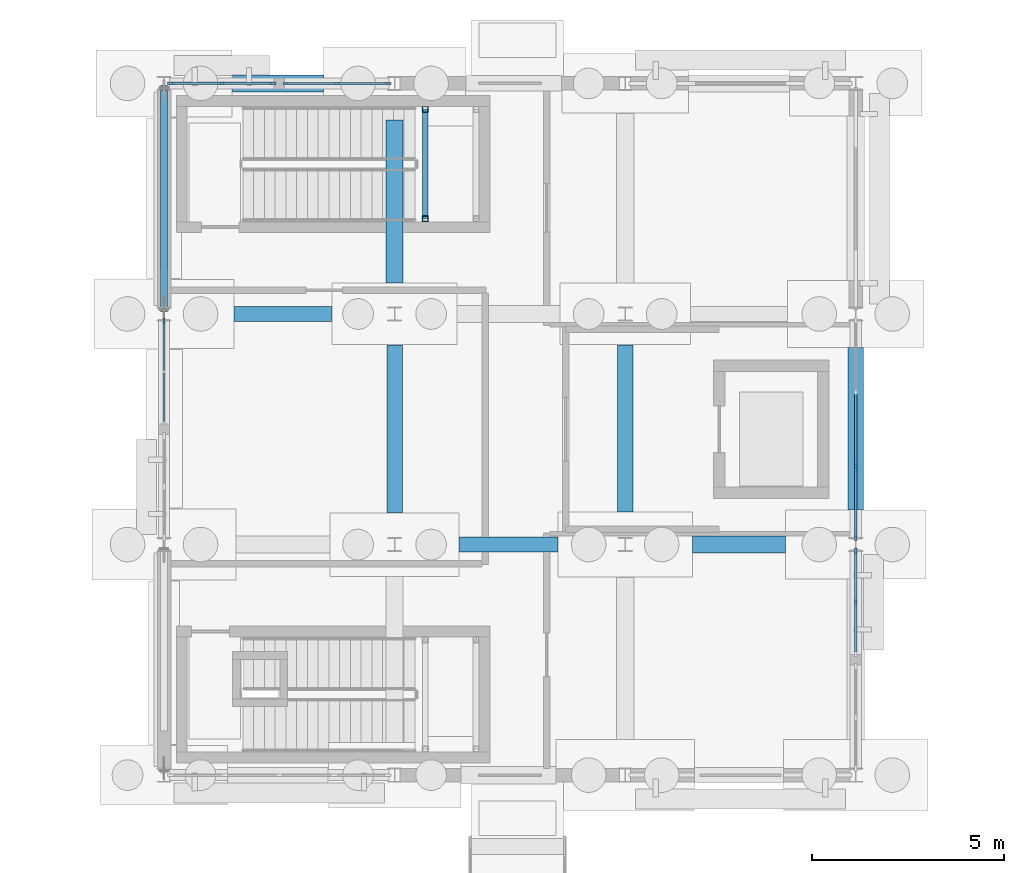
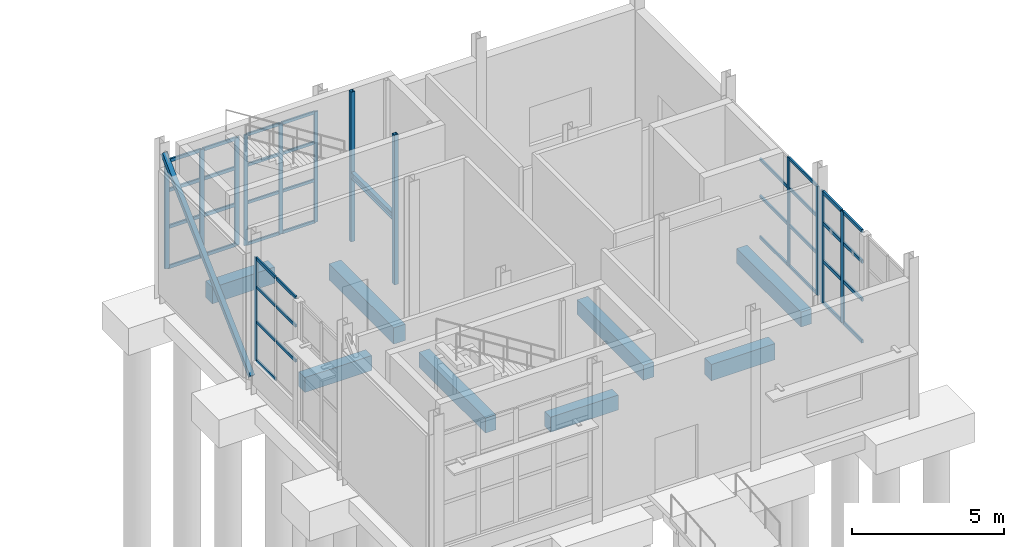
# One storey, part 51 of 120: 52 members, 9 beams, 5 elements without a shape of their own.
"""IFC4 building model written with IfcOpenShell, lengths in metres."""

import ifcopenshell
import ifcopenshell.guid

model = None  # the IFC model being written
_history = None  # IfcOwnerHistory: only IFC2X3 demands one
_inside = {}  # id of a spatial element -> (the spatial element, [elements in it])
_under = {}  # id of a project, library or spatial element -> (it, [spatial elements below it])
_declared = {}  # id of a project -> (the project, [libraries it declares])
_typed = {}  # id of a type object -> (the type object, [elements of that type])
_made_of = {}  # id of a material, layer set ... -> (it, [elements and type objects made of it])


def new_model(schema):
    """Start an empty IFC model of exactly this schema.

    Asked for "IFC4X3", IfcOpenShell would pick the latest addendum, in which some entities
    have other attributes; the version numbers below select the first issue.
    IFC2X3 requires an IfcOwnerHistory on every rooted entity: one is made here for all.
    """
    global model, _history
    if schema == "IFC4X3":
        model = ifcopenshell.file(schema_version=(4, 3, 0, 0))
    else:
        model = ifcopenshell.file(schema=schema)
    _inside.clear()
    _under.clear()
    _declared.clear()
    _typed.clear()
    _made_of.clear()
    _history = None
    if model.schema == "IFC2X3":
        org = make("IfcOrganization", Name="unknown")
        user = make(
            "IfcPersonAndOrganization",
            ThePerson=make("IfcPerson", FamilyName="unknown"),
            TheOrganization=org,
        )
        app = make(
            "IfcApplication",
            ApplicationDeveloper=org,
            Version="unknown",
            ApplicationFullName="unknown",
            ApplicationIdentifier="unknown",
        )
        _history = make(
            "IfcOwnerHistory",
            OwningUser=user,
            OwningApplication=app,
            ChangeAction="ADDED",
            CreationDate=0,
        )
    return model


def make(cls, **values):
    """One entity of the class cls with the attributes given. An attribute that is None is left unset."""
    return model.create_entity(
        cls, **{name: value for name, value in values.items() if value is not None}
    )


def rooted(cls, **values):
    """An entity with a GlobalId (a new one), such as an element, a storey or a relation."""
    return make(cls, GlobalId=ifcopenshell.guid.new(), OwnerHistory=_history, **values)


def si_unit(unit_type, name, prefix=None):
    """IfcSIUnit, for example si_unit("LENGTHUNIT", "METRE", prefix="MILLI")."""
    return make("IfcSIUnit", UnitType=unit_type, Prefix=prefix, Name=name)


def assignment(units):
    """IfcUnitAssignment: the units of a project."""
    return None if units is None else make("IfcUnitAssignment", Units=units)


def point(xyz):
    """IfcCartesianPoint."""
    return None if xyz is None else make("IfcCartesianPoint", Coordinates=xyz)


def direction(xyz):
    """IfcDirection."""
    return None if xyz is None else make("IfcDirection", DirectionRatios=xyz)


def frame(location, z_axis=None, x_axis=None):
    """IfcAxis2Placement3D, a coordinate frame: its origin and axes. An axis left out is left unset."""
    return make(
        "IfcAxis2Placement3D",
        Location=point(location),
        Axis=direction(z_axis),
        RefDirection=direction(x_axis),
    )


def frame_2d(location, x_axis=None):
    """IfcAxis2Placement2D, a coordinate frame in the plane: its origin and x axis."""
    return make(
        "IfcAxis2Placement2D", Location=point(location), RefDirection=direction(x_axis)
    )


def origin():
    """The frame at (0, 0, 0) with its axes left unset."""
    return frame((0.0, 0.0, 0.0))


def origin_2d():
    """The frame at (0, 0) in the plane with its x axis left unset."""
    return frame_2d((0.0, 0.0))


def place(relative_to, where):
    """IfcLocalPlacement: puts the frame where relative to a parent placement (None: the world)."""
    return make(
        "IfcLocalPlacement", PlacementRelTo=relative_to, RelativePlacement=where
    )


def context(
    kind, dimensions, precision=None, world=None, true_north=None, identifier=None
):
    """IfcGeometricRepresentationContext, for example the 3D "Model" context."""
    return make(
        "IfcGeometricRepresentationContext",
        ContextIdentifier=identifier,
        ContextType=kind,
        CoordinateSpaceDimension=dimensions,
        Precision=precision,
        WorldCoordinateSystem=world,
        TrueNorth=true_north,
    )


def subcontext(parent, identifier, kind, view, scale=None):
    """IfcGeometricRepresentationSubContext, for example "Body" below "Model"."""
    return make(
        "IfcGeometricRepresentationSubContext",
        ContextIdentifier=identifier,
        ContextType=kind,
        ParentContext=parent,
        TargetScale=scale,
        TargetView=view,
    )


def project(units=None, contexts=None):
    """IfcProject with its units and contexts."""
    return rooted(
        "IfcProject",
        Name="project",
        RepresentationContexts=contexts,
        UnitsInContext=assignment(units),
    )


def spatial(cls, under=None, at=None, **own):
    """A site, building, storey or space (cls), placed at a placement, below another one or the project."""
    s = rooted(cls, ObjectPlacement=at, **own)
    if under is not None:
        _under.setdefault(under.id(), (under, []))[1].append(s)
    return s


def profile(cls, at=None, kind="AREA", **sizes):
    """A parametric profile (cls). Its sizes go by their IFC names, for example OverallWidth=200.0."""
    return make(cls, ProfileType=kind, Position=at, **sizes)


def rectangle(**sizes):
    """IfcRectangleProfileDef."""
    return profile("IfcRectangleProfileDef", **sizes)


def hollow_rectangle(**sizes):
    """IfcRectangleHollowProfileDef."""
    return profile("IfcRectangleHollowProfileDef", **sizes)


def i_section(**sizes):
    """IfcIShapeProfileDef."""
    return profile("IfcIShapeProfileDef", **sizes)


def extrude(swept, where, along, depth):
    """IfcExtrudedAreaSolid: the profile swept, set in the frame where, extruded along a direction by depth."""
    return make(
        "IfcExtrudedAreaSolid",
        SweptArea=swept,
        Position=where,
        ExtrudedDirection=direction(along),
        Depth=depth,
    )


def shape(context_of_items, identifier, shape_type, items):
    """IfcShapeRepresentation: the items that make up one representation, for example the "Body"."""
    return make(
        "IfcShapeRepresentation",
        ContextOfItems=context_of_items,
        RepresentationIdentifier=identifier,
        RepresentationType=shape_type,
        Items=items,
    )


def material(Name=None, Category=None):
    """IfcMaterial."""
    return make("IfcMaterial", Name=Name, Category=Category)


def material_profile(
    of_material, cross_section, Name=None, Category=None, Priority=None
):
    """IfcMaterialProfile: a cross section and its material."""
    return make(
        "IfcMaterialProfile",
        Name=Name,
        Material=of_material,
        Profile=cross_section,
        Priority=Priority,
        Category=Category,
    )


def profile_set(profiles, Name=None, composite=None):
    """IfcMaterialProfileSet."""
    return make(
        "IfcMaterialProfileSet",
        Name=Name,
        MaterialProfiles=profiles,
        CompositeProfile=composite,
    )


def made_of(thing, what):
    """Note that an element or type object is made of a material, layer set ...; save() writes the relation."""
    if what is not None:
        _made_of.setdefault(what.id(), (what, []))[1].append(thing)
    return thing


def type_object(cls, material=None, **own):
    """A type object (cls), such as IfcWallType, which elements share."""
    return made_of(rooted(cls, **own), material)


def element(
    cls,
    number,
    at=None,
    inside=None,
    cuts=None,
    type_object=None,
    material=None,
    context=None,
    identifier="Body",
    shape_type=None,
    held_by="IfcProductDefinitionShape",
    body=None,
    shapes=None,
    **own,
):
    """One element of the class cls, such as IfcWall. Its Tag is "e" and its number.

    at: its placement. inside: the storey or other place that contains it. cuts: it is an
    opening in that element (IfcRelVoidsElement). A single representation is given by context,
    identifier, shape_type and body (its items); several are given by shapes. held_by: the class
    of the entity that holds the representations. save() writes the other relations.
    """
    e = rooted(cls, Tag="e%d" % number, ObjectPlacement=at, **own)
    if body is not None:
        shapes = [shape(context, identifier, shape_type, body)]
    if shapes is not None:
        e.Representation = make(held_by, Representations=shapes)
    if inside is not None:
        _inside.setdefault(inside.id(), (inside, []))[1].append(e)
    if cuts is not None:
        rooted(
            "IfcRelVoidsElement", RelatingBuildingElement=cuts, RelatedOpeningElement=e
        )
    if type_object is not None:
        _typed.setdefault(type_object.id(), (type_object, []))[1].append(e)
    return made_of(e, material)


def aggregate(whole, parts):
    """IfcRelAggregates: a whole, such as a stair, and the parts it consists of."""
    return rooted("IfcRelAggregates", RelatingObject=whole, RelatedObjects=parts)


def save(model, path):
    """Write the relations noted so far, then the file.

    IfcRelAggregates (storeys below a building ...), IfcRelContainedInSpatialStructure (elements
    in a storey), IfcRelDefinesByType, IfcRelAssociatesMaterial and IfcRelDeclares: one each for
    every whole, place, type object, material and project.
    """
    for whole, parts in _under.values():
        aggregate(whole, parts)
    for where, things in _inside.values():
        rooted(
            "IfcRelContainedInSpatialStructure",
            RelatedElements=things,
            RelatingStructure=where,
        )
    for kind, things in _typed.values():
        rooted("IfcRelDefinesByType", RelatedObjects=things, RelatingType=kind)
    for what, things in _made_of.values():
        rooted("IfcRelAssociatesMaterial", RelatedObjects=things, RelatingMaterial=what)
    for by, libraries in _declared.values():
        rooted("IfcRelDeclares", RelatingContext=by, RelatedDefinitions=libraries)
    model.write(path)


model = new_model("IFC4")

# Units and contexts
model_context = context("Model", 3, precision=1e-05, world=origin(), true_north=direction((0.0, 1.0)))
body_context = subcontext(model_context, "Body", "Model", "MODEL_VIEW")
ifc_project = project(units=[si_unit("LENGTHUNIT", "METRE"), si_unit("AREAUNIT", "SQUARE_METRE"), si_unit("VOLUMEUNIT", "CUBIC_METRE"), si_unit("PLANEANGLEUNIT", "RADIAN"), si_unit("MASSUNIT", "GRAM", prefix="KILO")], contexts=[model_context])

# Site, building, storey
site_placement = place(None, origin())
site = spatial("IfcSite", under=ifc_project, at=site_placement, CompositionType="ELEMENT")
building_placement = place(site_placement, origin())
building = spatial("IfcBuilding", under=site, at=building_placement, Name="Siltcreek Boulevard Central Fire Station", CompositionType="ELEMENT")
storey_placement = place(building_placement, origin())
storey = spatial("IfcBuildingStorey", under=building, at=storey_placement, Name="L01", CompositionType="ELEMENT", Elevation=0.0)

# Members
ifc_material_1 = material(Name="Structural steel ASTM A500 GrC", Category="steel")
ifc_material_profile_1 = material_profile(ifc_material_1, hollow_rectangle(XDim=0.14990234375, YDim=0.14990234375, WallThickness=0.008056640625, at=origin_2d()), Name="HSS150X150X8.0")
ifc_profile_set_1 = profile_set([ifc_material_profile_1], Name="Structural steel ASTM A500 GrC")
member_type_1 = type_object("IfcMemberType", Name="BR_HSS150_8", PredefinedType="BRACE", material=ifc_profile_set_1)
for number, where, z_axis, x_axis, name in (
    (1, (48.800048828125, 108.679931640625, 0.0), (0.0, 0.0, 1.0), (1.0, 0.0, 0.0), "L01 ST-V3B stair landing corner post SW"),
    (2, (48.800048828125, 111.52001953125, 0.0), (0.0, 0.0, 1.0), (1.0, 0.0, 0.0), "L01 ST-V3B stair landing corner post NW"),
):
    element("IfcMember", number, at=place(storey_placement, frame(where, z_axis=z_axis, x_axis=x_axis)), inside=storey, type_object=member_type_1, Name=name, PredefinedType="BRACE", context=body_context, shape_type="SweptSolid", body=[
        extrude(hollow_rectangle(XDim=0.14990234375, YDim=0.14990234375, WallThickness=0.008056640625, at=origin_2d()), origin(), (0.0, 0.0, 1.0), 6.0),
    ])
ifc_material_profile_2 = material_profile(ifc_material_1, hollow_rectangle(XDim=0.179931640625, YDim=0.179931640625, WallThickness=0.008056640625, at=origin_2d()), Name="HSS180X180X8.0")
ifc_profile_set_2 = profile_set([ifc_material_profile_2], Name="Structural steel ASTM A500 GrC")
member_type_2 = type_object("IfcMemberType", Name="BR_HSS180", PredefinedType="BRACE", material=ifc_profile_set_2)
member_1_placement = place(storey_placement, frame((42.0, 106.320068359375, 0.10009765625), z_axis=(0.0, 0.726386990368, 0.687285923197), x_axis=(-1.0, 0.0, 0.0)))
element("IfcMember", 3, at=member_1_placement, inside=storey, type_object=member_type_2, Name="L01 SCBF concentrically braced frame BR-019", PredefinedType="BRACE", context=body_context, shape_type="SweptSolid", body=[
    extrude(hollow_rectangle(XDim=0.179931640625, YDim=0.179931640625, WallThickness=0.008056640625, at=origin_2d()), origin(), (0.0, 0.0, 1.0), 7.9296875),
])

# Curtain wall, members
ifc_material_2 = material(Name="Anodized aluminum and low-E insulated glazing", Category="aluminium")
curtain_wall_type_1 = type_object("IfcCurtainWallType", Name="CW_SYS_28", PredefinedType="USERDEFINED", material=ifc_material_2)
curtain_wall_1_placement = place(storey_placement, origin())
curtain_wall_1 = element("IfcCurtainWall", 4, at=curtain_wall_1_placement, inside=storey, type_object=curtain_wall_type_1, Name="L01 V3 unitised curtain wall CW-027", ObjectType="CURTAIN WALL", PredefinedType="USERDEFINED")
ifc_material_3 = material(Name="Anodized 6063-T6 aluminum framing", Category="aluminium")
ifc_material_profile_3 = material_profile(ifc_material_3, rectangle(XDim=0.06005859375, YDim=0.14990234375, at=origin_2d()), Name="MULL60X150")
ifc_profile_set_3 = profile_set([ifc_material_profile_3], Name="Anodized 6063-T6 aluminum framing")
member_type_3 = type_object("IfcMemberType", Name="CWM_60X150", PredefinedType="MULLION", material=ifc_profile_set_3)
member_2_placement = place(storey_placement, frame((47.824951171875, 112.199951171875, 0.679931640625), z_axis=(0.0, 0.0, 1.0), x_axis=(0.0, -1.0, 0.0)))
member_2 = element("IfcMember", 5, at=member_2_placement, type_object=member_type_3, Name="CW-027 mullion 1", PredefinedType="MULLION", context=body_context, shape_type="SweptSolid", body=[
    extrude(rectangle(XDim=0.06005859375, YDim=0.14990234375, at=origin_2d()), origin(), (0.0, 0.0, 1.0), 4.43310546875),
])
member_3_placement = place(storey_placement, frame((46.49755859375, 112.199951171875, 0.679931640625), z_axis=(0.0, 0.0, 1.0), x_axis=(0.0, -1.0, 0.0)))
member_3 = element("IfcMember", 6, at=member_3_placement, type_object=member_type_3, Name="CW-027 mullion 2", PredefinedType="MULLION", context=body_context, shape_type="SweptSolid", body=[
    extrude(rectangle(XDim=0.06005859375, YDim=0.14990234375, at=origin_2d()), origin(), (0.0, 0.0, 1.0), 4.43310546875),
])
member_4_placement = place(storey_placement, frame((45.169921875, 112.199951171875, 0.679931640625), z_axis=(0.0, 0.0, 1.0), x_axis=(0.0, -1.0, 0.0)))
member_4 = element("IfcMember", 7, at=member_4_placement, type_object=member_type_3, Name="CW-027 mullion 3", PredefinedType="MULLION", context=body_context, shape_type="SweptSolid", body=[
    extrude(rectangle(XDim=0.06005859375, YDim=0.14990234375, at=origin_2d()), origin(), (0.0, 0.0, 1.0), 4.43310546875),
])

# Curtain wall, member
curtain_wall_type_2 = type_object("IfcCurtainWallType", Name="CW_SYS_30", PredefinedType="USERDEFINED", material=ifc_material_2)
curtain_wall_2_placement = place(storey_placement, origin())
curtain_wall_2 = element("IfcCurtainWall", 8, at=curtain_wall_2_placement, inside=storey, type_object=curtain_wall_type_2, Name="L01 V3 unitised curtain wall CW-029", ObjectType="CURTAIN WALL", PredefinedType="USERDEFINED")
member_5_placement = place(storey_placement, frame((42.0, 106.02490234375, 0.919921875), z_axis=(0.0, 0.0, 1.0), x_axis=(1.0, 0.0, 0.0)))
member_5 = element("IfcMember", 9, at=member_5_placement, type_object=member_type_3, Name="CW-029 mullion 1", PredefinedType="MULLION", context=body_context, shape_type="SweptSolid", body=[
    extrude(rectangle(XDim=0.06005859375, YDim=0.14990234375, at=origin_2d()), origin(), (0.0, 0.0, 1.0), 4.1240234375),
])

# Curtain wall, members
curtain_wall_type_3 = type_object("IfcCurtainWallType", Name="CW_SYS_04", PredefinedType="USERDEFINED", material=ifc_material_2)
curtain_wall_3_placement = place(storey_placement, origin())
curtain_wall_3 = element("IfcCurtainWall", 10, at=curtain_wall_3_placement, inside=storey, type_object=curtain_wall_type_3, Name="L01 V3 unitised curtain wall CW-033", ObjectType="CURTAIN WALL", PredefinedType="USERDEFINED")
member_6_placement = place(storey_placement, frame((60.0, 100.375, 0.679931640625), z_axis=(0.0, 0.0, 1.0), x_axis=(-1.0, 0.0, 0.0)))
member_6 = element("IfcMember", 11, at=member_6_placement, type_object=member_type_3, Name="CW-033 mullion 1", PredefinedType="MULLION", context=body_context, shape_type="SweptSolid", body=[
    extrude(rectangle(XDim=0.06005859375, YDim=0.14990234375, at=origin_2d()), origin(), (0.0, 0.0, 1.0), 4.364013671875),
])
member_7_placement = place(storey_placement, frame((60.0, 102.248291015625, 0.679931640625), z_axis=(0.0, 0.0, 1.0), x_axis=(-1.0, 0.0, 0.0)))
member_7 = element("IfcMember", 12, at=member_7_placement, type_object=member_type_3, Name="CW-033 mullion 2", PredefinedType="MULLION", context=body_context, shape_type="SweptSolid", body=[
    extrude(rectangle(XDim=0.06005859375, YDim=0.14990234375, at=origin_2d()), origin(), (0.0, 0.0, 1.0), 4.364013671875),
])

curtain_wall_type_4 = type_object("IfcCurtainWallType", Name="CW_SYS_29", PredefinedType="USERDEFINED", material=ifc_material_2)
curtain_wall_4_placement = place(storey_placement, origin())
curtain_wall_4 = element("IfcCurtainWall", 13, at=curtain_wall_4_placement, inside=storey, type_object=curtain_wall_type_4, Name="L01 V3 unitised curtain wall CW-028", ObjectType="CURTAIN WALL", PredefinedType="USERDEFINED")
ifc_material_profile_4 = material_profile(ifc_material_3, rectangle(XDim=0.06494140625, YDim=0.175048828125, at=origin_2d()), Name="MULL65X175")
ifc_profile_set_4 = profile_set([ifc_material_profile_4], Name="Anodized 6063-T6 aluminum framing")
member_type_4 = type_object("IfcMemberType", Name="CWM_65X175", PredefinedType="MULLION", material=ifc_profile_set_4)
member_8_placement = place(storey_placement, frame((44.827392578125, 112.199951171875, 0.800048828125), z_axis=(0.0, 0.0, 1.0), x_axis=(0.0, -1.0, 0.0)))
member_8 = element("IfcMember", 14, at=member_8_placement, type_object=member_type_4, Name="CW-028 mullion 1", PredefinedType="MULLION", context=body_context, shape_type="SweptSolid", body=[
    extrude(rectangle(XDim=0.06494140625, YDim=0.175048828125, at=origin_2d()), origin(), (0.0, 0.0, 1.0), 4.31298828125),
])
member_9_placement = place(storey_placement, frame((43.50244140625, 112.199951171875, 0.800048828125), z_axis=(0.0, 0.0, 1.0), x_axis=(0.0, -1.0, 0.0)))
member_9 = element("IfcMember", 15, at=member_9_placement, type_object=member_type_4, Name="CW-028 mullion 2", PredefinedType="MULLION", context=body_context, shape_type="SweptSolid", body=[
    extrude(rectangle(XDim=0.06494140625, YDim=0.175048828125, at=origin_2d()), origin(), (0.0, 0.0, 1.0), 4.31298828125),
])
member_10_placement = place(storey_placement, frame((42.177490234375, 112.199951171875, 0.800048828125), z_axis=(0.0, 0.0, 1.0), x_axis=(0.0, -1.0, 0.0)))
member_10 = element("IfcMember", 16, at=member_10_placement, type_object=member_type_4, Name="CW-028 mullion 3", PredefinedType="MULLION", context=body_context, shape_type="SweptSolid", body=[
    extrude(rectangle(XDim=0.06494140625, YDim=0.175048828125, at=origin_2d()), origin(), (0.0, 0.0, 1.0), 4.31298828125),
])

curtain_wall_type_5 = type_object("IfcCurtainWallType", Name="CW_SYS_03", PredefinedType="USERDEFINED", material=ifc_material_2)
curtain_wall_5_placement = place(storey_placement, origin())
curtain_wall_5 = element("IfcCurtainWall", 17, at=curtain_wall_5_placement, inside=storey, type_object=curtain_wall_type_5, Name="L01 V3 unitised curtain wall CW-032", ObjectType="CURTAIN WALL", PredefinedType="USERDEFINED")
member_11_placement = place(storey_placement, frame((60.0, 98.697509765625, 0.56005859375), z_axis=(0.0, 0.0, 1.0), x_axis=(-1.0, 0.0, 0.0)))
member_11 = element("IfcMember", 18, at=member_11_placement, type_object=member_type_4, Name="CW-032 mullion 2", PredefinedType="MULLION", context=body_context, shape_type="SweptSolid", body=[
    extrude(rectangle(XDim=0.06494140625, YDim=0.175048828125, at=origin_2d()), origin(), (0.0, 0.0, 1.0), 4.48388671875),
])
member_12_placement = place(storey_placement, frame((60.0, 100.0224609375, 0.56005859375), z_axis=(0.0, 0.0, 1.0), x_axis=(-1.0, 0.0, 0.0)))
member_12 = element("IfcMember", 19, at=member_12_placement, type_object=member_type_4, Name="CW-032 mullion 3", PredefinedType="MULLION", context=body_context, shape_type="SweptSolid", body=[
    extrude(rectangle(XDim=0.06494140625, YDim=0.175048828125, at=origin_2d()), origin(), (0.0, 0.0, 1.0), 4.48388671875),
])

# Member
ifc_material_profile_5 = material_profile(ifc_material_3, rectangle(XDim=0.06005859375, YDim=0.114990234375, at=origin_2d()), Name="TRAN60X115")
ifc_profile_set_5 = profile_set([ifc_material_profile_5], Name="Anodized 6063-T6 aluminum framing")
member_type_5 = type_object("IfcMemberType", Name="CWT_60X115", PredefinedType="USERDEFINED", material=ifc_profile_set_5)
member_13_placement = place(storey_placement, frame((47.794921875, 112.199951171875, 0.7099609375), z_axis=(-1.0, 0.0, 0.0), x_axis=(0.0, -1.0, 0.0)))
member_13 = element("IfcMember", 20, at=member_13_placement, type_object=member_type_5, Name="CW-027 transom 1.1", ObjectType="TRANSOM", PredefinedType="USERDEFINED", context=body_context, shape_type="SweptSolid", body=[
    extrude(rectangle(XDim=0.06005859375, YDim=0.114990234375, at=origin_2d()), origin(), (0.0, 0.0, 1.0), 1.267333984375),
])

member_14_placement = place(storey_placement, frame((47.794921875, 112.199951171875, 2.364501953125), z_axis=(-1.0, 0.0, 0.0), x_axis=(0.0, -1.0, 0.0)))
member_14 = element("IfcMember", 21, at=member_14_placement, type_object=member_type_5, Name="CW-027 transom 1.2", ObjectType="TRANSOM", PredefinedType="USERDEFINED", context=body_context, shape_type="SweptSolid", body=[
    extrude(rectangle(XDim=0.06005859375, YDim=0.114990234375, at=origin_2d()), origin(), (0.0, 0.0, 1.0), 1.267333984375),
])

member_15_placement = place(storey_placement, frame((47.794921875, 112.199951171875, 3.871826171875), z_axis=(-1.0, 0.0, 0.0), x_axis=(0.0, -1.0, 0.0)))
member_15 = element("IfcMember", 22, at=member_15_placement, type_object=member_type_5, Name="CW-027 transom 1.3", ObjectType="TRANSOM", PredefinedType="USERDEFINED", context=body_context, shape_type="SweptSolid", body=[
    extrude(rectangle(XDim=0.06005859375, YDim=0.114990234375, at=origin_2d()), origin(), (0.0, 0.0, 1.0), 1.267333984375),
])

member_16_placement = place(storey_placement, frame((47.794921875, 112.199951171875, 5.0830078125), z_axis=(-1.0, 0.0, 0.0), x_axis=(0.0, -1.0, 0.0)))
member_16 = element("IfcMember", 23, at=member_16_placement, type_object=member_type_5, Name="CW-027 transom 1.4", ObjectType="TRANSOM", PredefinedType="USERDEFINED", context=body_context, shape_type="SweptSolid", body=[
    extrude(rectangle(XDim=0.06005859375, YDim=0.114990234375, at=origin_2d()), origin(), (0.0, 0.0, 1.0), 1.267333984375),
])

member_17_placement = place(storey_placement, frame((46.467529296875, 112.199951171875, 0.7099609375), z_axis=(-1.0, 0.0, 0.0), x_axis=(0.0, -1.0, 0.0)))
member_17 = element("IfcMember", 24, at=member_17_placement, type_object=member_type_5, Name="CW-027 transom 2.1", ObjectType="TRANSOM", PredefinedType="USERDEFINED", context=body_context, shape_type="SweptSolid", body=[
    extrude(rectangle(XDim=0.06005859375, YDim=0.114990234375, at=origin_2d()), origin(), (0.0, 0.0, 1.0), 1.267578125),
])

member_18_placement = place(storey_placement, frame((46.467529296875, 112.199951171875, 2.364501953125), z_axis=(-1.0, 0.0, 0.0), x_axis=(0.0, -1.0, 0.0)))
member_18 = element("IfcMember", 25, at=member_18_placement, type_object=member_type_5, Name="CW-027 transom 2.2", ObjectType="TRANSOM", PredefinedType="USERDEFINED", context=body_context, shape_type="SweptSolid", body=[
    extrude(rectangle(XDim=0.06005859375, YDim=0.114990234375, at=origin_2d()), origin(), (0.0, 0.0, 1.0), 1.267578125),
])

member_19_placement = place(storey_placement, frame((46.467529296875, 112.199951171875, 3.871826171875), z_axis=(-1.0, 0.0, 0.0), x_axis=(0.0, -1.0, 0.0)))
member_19 = element("IfcMember", 26, at=member_19_placement, type_object=member_type_5, Name="CW-027 transom 2.3", ObjectType="TRANSOM", PredefinedType="USERDEFINED", context=body_context, shape_type="SweptSolid", body=[
    extrude(rectangle(XDim=0.06005859375, YDim=0.114990234375, at=origin_2d()), origin(), (0.0, 0.0, 1.0), 1.267578125),
])

member_20_placement = place(storey_placement, frame((46.467529296875, 112.199951171875, 5.0830078125), z_axis=(-1.0, 0.0, 0.0), x_axis=(0.0, -1.0, 0.0)))
member_20 = element("IfcMember", 27, at=member_20_placement, type_object=member_type_5, Name="CW-027 transom 2.4", ObjectType="TRANSOM", PredefinedType="USERDEFINED", context=body_context, shape_type="SweptSolid", body=[
    extrude(rectangle(XDim=0.06005859375, YDim=0.114990234375, at=origin_2d()), origin(), (0.0, 0.0, 1.0), 1.267578125),
])

aggregate(curtain_wall_1, [member_2, member_3, member_4, member_13, member_14, member_15, member_16, member_17, member_18, member_19, member_20])

member_21_placement = place(storey_placement, frame((42.0, 105.9951171875, 0.949951171875), z_axis=(0.0, -1.0, 0.0), x_axis=(1.0, 0.0, 0.0)))
member_21 = element("IfcMember", 28, at=member_21_placement, type_object=member_type_5, Name="CW-029 transom 1.1", ObjectType="TRANSOM", PredefinedType="USERDEFINED", context=body_context, shape_type="SweptSolid", body=[
    extrude(rectangle(XDim=0.06005859375, YDim=0.114990234375, at=origin_2d()), origin(), (0.0, 0.0, 1.0), 1.267578125),
])

member_22_placement = place(storey_placement, frame((42.0, 105.9951171875, 2.487060546875), z_axis=(0.0, -1.0, 0.0), x_axis=(1.0, 0.0, 0.0)))
member_22 = element("IfcMember", 29, at=member_22_placement, type_object=member_type_5, Name="CW-029 transom 1.2", ObjectType="TRANSOM", PredefinedType="USERDEFINED", context=body_context, shape_type="SweptSolid", body=[
    extrude(rectangle(XDim=0.06005859375, YDim=0.114990234375, at=origin_2d()), origin(), (0.0, 0.0, 1.0), 1.267578125),
])

member_23_placement = place(storey_placement, frame((42.0, 105.9951171875, 3.889404296875), z_axis=(0.0, -1.0, 0.0), x_axis=(1.0, 0.0, 0.0)))
member_23 = element("IfcMember", 30, at=member_23_placement, type_object=member_type_5, Name="CW-029 transom 1.3", ObjectType="TRANSOM", PredefinedType="USERDEFINED", context=body_context, shape_type="SweptSolid", body=[
    extrude(rectangle(XDim=0.06005859375, YDim=0.114990234375, at=origin_2d()), origin(), (0.0, 0.0, 1.0), 1.267578125),
])

member_24_placement = place(storey_placement, frame((42.0, 105.9951171875, 5.013916015625), z_axis=(0.0, -1.0, 0.0), x_axis=(1.0, 0.0, 0.0)))
member_24 = element("IfcMember", 31, at=member_24_placement, type_object=member_type_5, Name="CW-029 transom 1.4", ObjectType="TRANSOM", PredefinedType="USERDEFINED", context=body_context, shape_type="SweptSolid", body=[
    extrude(rectangle(XDim=0.06005859375, YDim=0.114990234375, at=origin_2d()), origin(), (0.0, 0.0, 1.0), 1.267578125),
])

member_25_placement = place(storey_placement, frame((42.0, 104.66748046875, 2.487060546875), z_axis=(0.0, -1.0, 0.0), x_axis=(1.0, 0.0, 0.0)))
member_25 = element("IfcMember", 32, at=member_25_placement, type_object=member_type_5, Name="CW-029 transom 2.2", ObjectType="TRANSOM", PredefinedType="USERDEFINED", context=body_context, shape_type="SweptSolid", body=[
    extrude(rectangle(XDim=0.06005859375, YDim=0.114990234375, at=origin_2d()), origin(), (0.0, 0.0, 1.0), 1.267578125),
])

member_26_placement = place(storey_placement, frame((42.0, 104.66748046875, 3.889404296875), z_axis=(0.0, -1.0, 0.0), x_axis=(1.0, 0.0, 0.0)))
member_26 = element("IfcMember", 33, at=member_26_placement, type_object=member_type_5, Name="CW-029 transom 2.3", ObjectType="TRANSOM", PredefinedType="USERDEFINED", context=body_context, shape_type="SweptSolid", body=[
    extrude(rectangle(XDim=0.06005859375, YDim=0.114990234375, at=origin_2d()), origin(), (0.0, 0.0, 1.0), 1.267578125),
])

member_27_placement = place(storey_placement, frame((42.0, 104.66748046875, 5.013916015625), z_axis=(0.0, -1.0, 0.0), x_axis=(1.0, 0.0, 0.0)))
member_27 = element("IfcMember", 34, at=member_27_placement, type_object=member_type_5, Name="CW-029 transom 2.4", ObjectType="TRANSOM", PredefinedType="USERDEFINED", context=body_context, shape_type="SweptSolid", body=[
    extrude(rectangle(XDim=0.06005859375, YDim=0.114990234375, at=origin_2d()), origin(), (0.0, 0.0, 1.0), 1.267578125),
])

aggregate(curtain_wall_2, [member_5, member_21, member_22, member_23, member_24, member_25, member_26, member_27])

member_28_placement = place(storey_placement, frame((60.0, 100.405029296875, 0.7099609375), z_axis=(0.0, 1.0, 0.0), x_axis=(-1.0, 0.0, 0.0)))
member_28 = element("IfcMember", 35, at=member_28_placement, type_object=member_type_5, Name="CW-033 transom 1.1", ObjectType="TRANSOM", PredefinedType="USERDEFINED", context=body_context, shape_type="SweptSolid", body=[
    extrude(rectangle(XDim=0.06005859375, YDim=0.114990234375, at=origin_2d()), origin(), (0.0, 0.0, 1.0), 1.813232421875),
])

member_29_placement = place(storey_placement, frame((60.0, 100.405029296875, 2.33837890625), z_axis=(0.0, 1.0, 0.0), x_axis=(-1.0, 0.0, 0.0)))
member_29 = element("IfcMember", 36, at=member_29_placement, type_object=member_type_5, Name="CW-033 transom 1.2", ObjectType="TRANSOM", PredefinedType="USERDEFINED", context=body_context, shape_type="SweptSolid", body=[
    extrude(rectangle(XDim=0.06005859375, YDim=0.114990234375, at=origin_2d()), origin(), (0.0, 0.0, 1.0), 1.813232421875),
])

member_30_placement = place(storey_placement, frame((60.0, 100.405029296875, 3.822021484375), z_axis=(0.0, 1.0, 0.0), x_axis=(-1.0, 0.0, 0.0)))
member_30 = element("IfcMember", 37, at=member_30_placement, type_object=member_type_5, Name="CW-033 transom 1.3", ObjectType="TRANSOM", PredefinedType="USERDEFINED", context=body_context, shape_type="SweptSolid", body=[
    extrude(rectangle(XDim=0.06005859375, YDim=0.114990234375, at=origin_2d()), origin(), (0.0, 0.0, 1.0), 1.813232421875),
])

member_31_placement = place(storey_placement, frame((60.0, 100.405029296875, 5.013916015625), z_axis=(0.0, 1.0, 0.0), x_axis=(-1.0, 0.0, 0.0)))
member_31 = element("IfcMember", 38, at=member_31_placement, type_object=member_type_5, Name="CW-033 transom 1.4", ObjectType="TRANSOM", PredefinedType="USERDEFINED", context=body_context, shape_type="SweptSolid", body=[
    extrude(rectangle(XDim=0.06005859375, YDim=0.114990234375, at=origin_2d()), origin(), (0.0, 0.0, 1.0), 1.813232421875),
])

member_32_placement = place(storey_placement, frame((60.0, 102.2783203125, 0.7099609375), z_axis=(0.0, 1.0, 0.0), x_axis=(-1.0, 0.0, 0.0)))
member_32 = element("IfcMember", 39, at=member_32_placement, type_object=member_type_5, Name="CW-033 transom 2.1", ObjectType="TRANSOM", PredefinedType="USERDEFINED", context=body_context, shape_type="SweptSolid", body=[
    extrude(rectangle(XDim=0.06005859375, YDim=0.114990234375, at=origin_2d()), origin(), (0.0, 0.0, 1.0), 1.84326171875),
])

member_33_placement = place(storey_placement, frame((60.0, 102.2783203125, 2.33837890625), z_axis=(0.0, 1.0, 0.0), x_axis=(-1.0, 0.0, 0.0)))
member_33 = element("IfcMember", 40, at=member_33_placement, type_object=member_type_5, Name="CW-033 transom 2.2", ObjectType="TRANSOM", PredefinedType="USERDEFINED", context=body_context, shape_type="SweptSolid", body=[
    extrude(rectangle(XDim=0.06005859375, YDim=0.114990234375, at=origin_2d()), origin(), (0.0, 0.0, 1.0), 1.84326171875),
])

member_34_placement = place(storey_placement, frame((60.0, 102.2783203125, 3.822021484375), z_axis=(0.0, 1.0, 0.0), x_axis=(-1.0, 0.0, 0.0)))
member_34 = element("IfcMember", 41, at=member_34_placement, type_object=member_type_5, Name="CW-033 transom 2.3", ObjectType="TRANSOM", PredefinedType="USERDEFINED", context=body_context, shape_type="SweptSolid", body=[
    extrude(rectangle(XDim=0.06005859375, YDim=0.114990234375, at=origin_2d()), origin(), (0.0, 0.0, 1.0), 1.84326171875),
])

aggregate(curtain_wall_3, [member_6, member_7, member_28, member_29, member_30, member_31, member_32, member_33, member_34])

ifc_material_profile_6 = material_profile(ifc_material_3, rectangle(XDim=0.06494140625, YDim=0.135009765625, at=origin_2d()), Name="TRAN65X135")
ifc_profile_set_6 = profile_set([ifc_material_profile_6], Name="Anodized 6063-T6 aluminum framing")
member_type_6 = type_object("IfcMemberType", Name="CWT_65X135", PredefinedType="USERDEFINED", material=ifc_profile_set_6)
member_35_placement = place(storey_placement, frame((44.794921875, 112.199951171875, 0.83251953125), z_axis=(-1.0, 0.0, 0.0), x_axis=(0.0, -1.0, 0.0)))
member_35 = element("IfcMember", 42, at=member_35_placement, type_object=member_type_6, Name="CW-028 transom 1.1", ObjectType="TRANSOM", PredefinedType="USERDEFINED", context=body_context, shape_type="SweptSolid", body=[
    extrude(rectangle(XDim=0.06494140625, YDim=0.135009765625, at=origin_2d()), origin(), (0.0, 0.0, 1.0), 1.260009765625),
])

member_36_placement = place(storey_placement, frame((44.794921875, 112.199951171875, 2.43896484375), z_axis=(-1.0, 0.0, 0.0), x_axis=(0.0, -1.0, 0.0)))
member_36 = element("IfcMember", 43, at=member_36_placement, type_object=member_type_6, Name="CW-028 transom 1.2", ObjectType="TRANSOM", PredefinedType="USERDEFINED", context=body_context, shape_type="SweptSolid", body=[
    extrude(rectangle(XDim=0.06494140625, YDim=0.135009765625, at=origin_2d()), origin(), (0.0, 0.0, 1.0), 1.260009765625),
])

member_37_placement = place(storey_placement, frame((44.794921875, 112.199951171875, 3.905517578125), z_axis=(-1.0, 0.0, 0.0), x_axis=(0.0, -1.0, 0.0)))
member_37 = element("IfcMember", 44, at=member_37_placement, type_object=member_type_6, Name="CW-028 transom 1.3", ObjectType="TRANSOM", PredefinedType="USERDEFINED", context=body_context, shape_type="SweptSolid", body=[
    extrude(rectangle(XDim=0.06494140625, YDim=0.135009765625, at=origin_2d()), origin(), (0.0, 0.0, 1.0), 1.260009765625),
])

member_38_placement = place(storey_placement, frame((44.794921875, 112.199951171875, 5.08056640625), z_axis=(-1.0, 0.0, 0.0), x_axis=(0.0, -1.0, 0.0)))
member_38 = element("IfcMember", 45, at=member_38_placement, type_object=member_type_6, Name="CW-028 transom 1.4", ObjectType="TRANSOM", PredefinedType="USERDEFINED", context=body_context, shape_type="SweptSolid", body=[
    extrude(rectangle(XDim=0.06494140625, YDim=0.135009765625, at=origin_2d()), origin(), (0.0, 0.0, 1.0), 1.260009765625),
])

member_39_placement = place(storey_placement, frame((43.469970703125, 112.199951171875, 0.83251953125), z_axis=(-1.0, 0.0, 0.0), x_axis=(0.0, -1.0, 0.0)))
member_39 = element("IfcMember", 46, at=member_39_placement, type_object=member_type_6, Name="CW-028 transom 2.1", ObjectType="TRANSOM", PredefinedType="USERDEFINED", context=body_context, shape_type="SweptSolid", body=[
    extrude(rectangle(XDim=0.06494140625, YDim=0.135009765625, at=origin_2d()), origin(), (0.0, 0.0, 1.0), 1.260009765625),
])

member_40_placement = place(storey_placement, frame((43.469970703125, 112.199951171875, 2.43896484375), z_axis=(-1.0, 0.0, 0.0), x_axis=(0.0, -1.0, 0.0)))
member_40 = element("IfcMember", 47, at=member_40_placement, type_object=member_type_6, Name="CW-028 transom 2.2", ObjectType="TRANSOM", PredefinedType="USERDEFINED", context=body_context, shape_type="SweptSolid", body=[
    extrude(rectangle(XDim=0.06494140625, YDim=0.135009765625, at=origin_2d()), origin(), (0.0, 0.0, 1.0), 1.260009765625),
])

member_41_placement = place(storey_placement, frame((43.469970703125, 112.199951171875, 3.905517578125), z_axis=(-1.0, 0.0, 0.0), x_axis=(0.0, -1.0, 0.0)))
member_41 = element("IfcMember", 48, at=member_41_placement, type_object=member_type_6, Name="CW-028 transom 2.3", ObjectType="TRANSOM", PredefinedType="USERDEFINED", context=body_context, shape_type="SweptSolid", body=[
    extrude(rectangle(XDim=0.06494140625, YDim=0.135009765625, at=origin_2d()), origin(), (0.0, 0.0, 1.0), 1.260009765625),
])

member_42_placement = place(storey_placement, frame((43.469970703125, 112.199951171875, 5.08056640625), z_axis=(-1.0, 0.0, 0.0), x_axis=(0.0, -1.0, 0.0)))
member_42 = element("IfcMember", 49, at=member_42_placement, type_object=member_type_6, Name="CW-028 transom 2.4", ObjectType="TRANSOM", PredefinedType="USERDEFINED", context=body_context, shape_type="SweptSolid", body=[
    extrude(rectangle(XDim=0.06494140625, YDim=0.135009765625, at=origin_2d()), origin(), (0.0, 0.0, 1.0), 1.260009765625),
])

aggregate(curtain_wall_4, [member_8, member_9, member_10, member_35, member_36, member_37, member_38, member_39, member_40, member_41, member_42])

member_43_placement = place(storey_placement, frame((60.0, 97.405029296875, 0.592529296875), z_axis=(0.0, 1.0, 0.0), x_axis=(-1.0, 0.0, 0.0)))
member_43 = element("IfcMember", 50, at=member_43_placement, type_object=member_type_6, Name="CW-032 transom 1.1", ObjectType="TRANSOM", PredefinedType="USERDEFINED", context=body_context, shape_type="SweptSolid", body=[
    extrude(rectangle(XDim=0.06494140625, YDim=0.135009765625, at=origin_2d()), origin(), (0.0, 0.0, 1.0), 1.260009765625),
])

member_44_placement = place(storey_placement, frame((60.0, 97.405029296875, 2.263916015625), z_axis=(0.0, 1.0, 0.0), x_axis=(-1.0, 0.0, 0.0)))
member_44 = element("IfcMember", 51, at=member_44_placement, type_object=member_type_6, Name="CW-032 transom 1.2", ObjectType="TRANSOM", PredefinedType="USERDEFINED", context=body_context, shape_type="SweptSolid", body=[
    extrude(rectangle(XDim=0.06494140625, YDim=0.135009765625, at=origin_2d()), origin(), (0.0, 0.0, 1.0), 1.260009765625),
])

member_45_placement = place(storey_placement, frame((60.0, 97.405029296875, 3.78857421875), z_axis=(0.0, 1.0, 0.0), x_axis=(-1.0, 0.0, 0.0)))
member_45 = element("IfcMember", 52, at=member_45_placement, type_object=member_type_6, Name="CW-032 transom 1.3", ObjectType="TRANSOM", PredefinedType="USERDEFINED", context=body_context, shape_type="SweptSolid", body=[
    extrude(rectangle(XDim=0.06494140625, YDim=0.135009765625, at=origin_2d()), origin(), (0.0, 0.0, 1.0), 1.260009765625),
])

member_46_placement = place(storey_placement, frame((60.0, 97.405029296875, 5.011474609375), z_axis=(0.0, 1.0, 0.0), x_axis=(-1.0, 0.0, 0.0)))
member_46 = element("IfcMember", 53, at=member_46_placement, type_object=member_type_6, Name="CW-032 transom 1.4", ObjectType="TRANSOM", PredefinedType="USERDEFINED", context=body_context, shape_type="SweptSolid", body=[
    extrude(rectangle(XDim=0.06494140625, YDim=0.135009765625, at=origin_2d()), origin(), (0.0, 0.0, 1.0), 1.260009765625),
])

member_47_placement = place(storey_placement, frame((60.0, 98.72998046875, 0.592529296875), z_axis=(0.0, 1.0, 0.0), x_axis=(-1.0, 0.0, 0.0)))
member_47 = element("IfcMember", 54, at=member_47_placement, type_object=member_type_6, Name="CW-032 transom 2.1", ObjectType="TRANSOM", PredefinedType="USERDEFINED", context=body_context, shape_type="SweptSolid", body=[
    extrude(rectangle(XDim=0.06494140625, YDim=0.135009765625, at=origin_2d()), origin(), (0.0, 0.0, 1.0), 1.260009765625),
])

member_48_placement = place(storey_placement, frame((60.0, 98.72998046875, 2.263916015625), z_axis=(0.0, 1.0, 0.0), x_axis=(-1.0, 0.0, 0.0)))
member_48 = element("IfcMember", 55, at=member_48_placement, type_object=member_type_6, Name="CW-032 transom 2.2", ObjectType="TRANSOM", PredefinedType="USERDEFINED", context=body_context, shape_type="SweptSolid", body=[
    extrude(rectangle(XDim=0.06494140625, YDim=0.135009765625, at=origin_2d()), origin(), (0.0, 0.0, 1.0), 1.260009765625),
])

member_49_placement = place(storey_placement, frame((60.0, 98.72998046875, 3.78857421875), z_axis=(0.0, 1.0, 0.0), x_axis=(-1.0, 0.0, 0.0)))
member_49 = element("IfcMember", 56, at=member_49_placement, type_object=member_type_6, Name="CW-032 transom 2.3", ObjectType="TRANSOM", PredefinedType="USERDEFINED", context=body_context, shape_type="SweptSolid", body=[
    extrude(rectangle(XDim=0.06494140625, YDim=0.135009765625, at=origin_2d()), origin(), (0.0, 0.0, 1.0), 1.260009765625),
])

member_50_placement = place(storey_placement, frame((60.0, 98.72998046875, 5.011474609375), z_axis=(0.0, 1.0, 0.0), x_axis=(-1.0, 0.0, 0.0)))
member_50 = element("IfcMember", 57, at=member_50_placement, type_object=member_type_6, Name="CW-032 transom 2.4", ObjectType="TRANSOM", PredefinedType="USERDEFINED", context=body_context, shape_type="SweptSolid", body=[
    extrude(rectangle(XDim=0.06494140625, YDim=0.135009765625, at=origin_2d()), origin(), (0.0, 0.0, 1.0), 1.260009765625),
])

aggregate(curtain_wall_5, [member_11, member_12, member_43, member_44, member_45, member_46, member_47, member_48, member_49, member_50])

# Beams
ifc_material_4 = material(Name="Concrete C35/45", Category="concrete")
ifc_material_profile_7 = material_profile(ifc_material_4, rectangle(XDim=0.39990234375, YDim=0.60009765625, at=origin_2d()), Name="RC400X600")
ifc_profile_set_7 = profile_set([ifc_material_profile_7], Name="Concrete C35/45")
beam_type_1 = type_object("IfcBeamType", Name="GB_RC400X600", PredefinedType="USERDEFINED", material=ifc_profile_set_7)
beam_1_placement = place(storey_placement, frame((49.677001953125, 100.199951171875, -0.7099609375), z_axis=(1.0, 0.0, 0.0), x_axis=(0.0, 1.0, 0.0)))
element("IfcBeam", 58, at=beam_1_placement, inside=storey, type_object=beam_type_1, Name="Reinforced concrete tie grade beam GB-131", ObjectType="GRADE BEAM", PredefinedType="USERDEFINED", context=body_context, shape_type="SweptSolid", body=[
    extrude(rectangle(XDim=0.39990234375, YDim=0.60009765625, at=origin_2d()), origin(), (0.0, 0.0, 1.0), 2.571044921875),
])
beam_2_placement = place(storey_placement, frame((43.826904296875, 106.199951171875, -0.7099609375), z_axis=(1.0, 0.0, 0.0), x_axis=(0.0, 1.0, 0.0)))
element("IfcBeam", 59, at=beam_2_placement, inside=storey, type_object=beam_type_1, Name="Reinforced concrete tie grade beam GB-133", ObjectType="GRADE BEAM", PredefinedType="USERDEFINED", context=body_context, shape_type="SweptSolid", body=[
    extrude(rectangle(XDim=0.39990234375, YDim=0.60009765625, at=origin_2d()), origin(), (0.0, 0.0, 1.0), 2.546142578125),
])
beam_3_placement = place(storey_placement, frame((48.0, 101.027099609375, -0.7099609375), z_axis=(0.0, 1.0, 0.0), x_axis=(-1.0, 0.0, 0.0)))
element("IfcBeam", 60, at=beam_3_placement, inside=storey, type_object=beam_type_1, Name="Reinforced concrete tie grade beam GB-159", ObjectType="GRADE BEAM", PredefinedType="USERDEFINED", context=body_context, shape_type="SweptSolid", body=[
    extrude(rectangle(XDim=0.39990234375, YDim=0.60009765625, at=origin_2d()), origin(), (0.0, 0.0, 1.0), 4.370849609375),
])
beam_4_placement = place(storey_placement, frame((54.0, 101.052001953125, -0.7099609375), z_axis=(0.0, 1.0, 0.0), x_axis=(-1.0, 0.0, 0.0)))
element("IfcBeam", 61, at=beam_4_placement, inside=storey, type_object=beam_type_1, Name="Reinforced concrete tie grade beam GB-167", ObjectType="GRADE BEAM", PredefinedType="USERDEFINED", context=body_context, shape_type="SweptSolid", body=[
    extrude(rectangle(XDim=0.39990234375, YDim=0.60009765625, at=origin_2d()), origin(), (0.0, 0.0, 1.0), 4.345947265625),
])
beam_5_placement = place(storey_placement, frame((60.0, 101.10205078125, -0.7099609375), z_axis=(0.0, 1.0, 0.0), x_axis=(-1.0, 0.0, 0.0)))
element("IfcBeam", 62, at=beam_5_placement, inside=storey, type_object=beam_type_1, Name="Reinforced concrete tie grade beam GB-175", ObjectType="GRADE BEAM", PredefinedType="USERDEFINED", context=body_context, shape_type="SweptSolid", body=[
    extrude(rectangle(XDim=0.39990234375, YDim=0.60009765625, at=origin_2d()), origin(), (0.0, 0.0, 1.0), 4.220947265625),
])
ifc_material_profile_8 = material_profile(ifc_material_4, rectangle(XDim=0.449951171875, YDim=0.64990234375, at=origin_2d()), Name="RC450X650")
ifc_profile_set_8 = profile_set([ifc_material_profile_8], Name="Concrete C35/45")
beam_type_2 = type_object("IfcBeamType", Name="GB_RC450X650", PredefinedType="USERDEFINED", material=ifc_profile_set_8)
beam_6_placement = place(storey_placement, frame((55.751953125, 100.199951171875, -0.735107421875), z_axis=(1.0, 0.0, 0.0), x_axis=(0.0, 1.0, 0.0)))
element("IfcBeam", 63, at=beam_6_placement, inside=storey, type_object=beam_type_2, Name="Reinforced concrete tie grade beam GB-132", ObjectType="GRADE BEAM", PredefinedType="USERDEFINED", context=body_context, shape_type="SweptSolid", body=[
    extrude(rectangle(XDim=0.449951171875, YDim=0.64990234375, at=origin_2d()), origin(), (0.0, 0.0, 1.0), 2.421142578125),
])
beam_7_placement = place(storey_placement, frame((43.777099609375, 112.199951171875, -0.735107421875), z_axis=(1.0, 0.0, 0.0), x_axis=(0.0, 1.0, 0.0)))
element("IfcBeam", 64, at=beam_7_placement, inside=storey, type_object=beam_type_2, Name="Reinforced concrete tie grade beam GB-136", ObjectType="GRADE BEAM", PredefinedType="USERDEFINED", context=body_context, shape_type="SweptSolid", body=[
    extrude(rectangle(XDim=0.449951171875, YDim=0.64990234375, at=origin_2d()), origin(), (0.0, 0.0, 1.0), 2.370849609375),
])
beam_8_placement = place(storey_placement, frame((48.0, 107.001953125, -0.735107421875), z_axis=(0.0, 1.0, 0.0), x_axis=(-1.0, 0.0, 0.0)))
element("IfcBeam", 65, at=beam_8_placement, inside=storey, type_object=beam_type_2, Name="Reinforced concrete tie grade beam GB-160", ObjectType="GRADE BEAM", PredefinedType="USERDEFINED", context=body_context, shape_type="SweptSolid", body=[
    extrude(rectangle(XDim=0.449951171875, YDim=0.64990234375, at=origin_2d()), origin(), (0.0, 0.0, 1.0), 4.24609375),
])
ifc_material_5 = material(Name="Structural steel ASTM A992 Gr50", Category="steel")
ifc_material_profile_9 = material_profile(ifc_material_5, i_section(OverallWidth=0.14697265625, OverallDepth=0.261962890625, WebThickness=0.006591796875, FlangeThickness=0.01123046875, at=origin_2d()), Name="W250X39")
ifc_profile_set_9 = profile_set([ifc_material_profile_9], Name="Structural steel ASTM A992 Gr50")
beam_type_3 = type_object("IfcBeamType", Name="JST_W250X39", PredefinedType="JOIST", material=ifc_profile_set_9)
beam_9_placement = place(storey_placement, frame((48.800048828125, 108.679931640625, 2.6689453125), z_axis=(0.0, 1.0, 0.0), x_axis=(-1.0, 0.0, 0.0)))
element("IfcBeam", 66, at=beam_9_placement, inside=storey, type_object=beam_type_3, Name="L01 ST-V3B stair landing bearer MIDW", PredefinedType="JOIST", context=body_context, shape_type="SweptSolid", body=[
    extrude(i_section(OverallWidth=0.14697265625, OverallDepth=0.261962890625, WebThickness=0.006591796875, FlangeThickness=0.01123046875, at=origin_2d()), origin(), (0.0, 0.0, 1.0), 2.840087890625),
])

save(model, "model.ifc")
